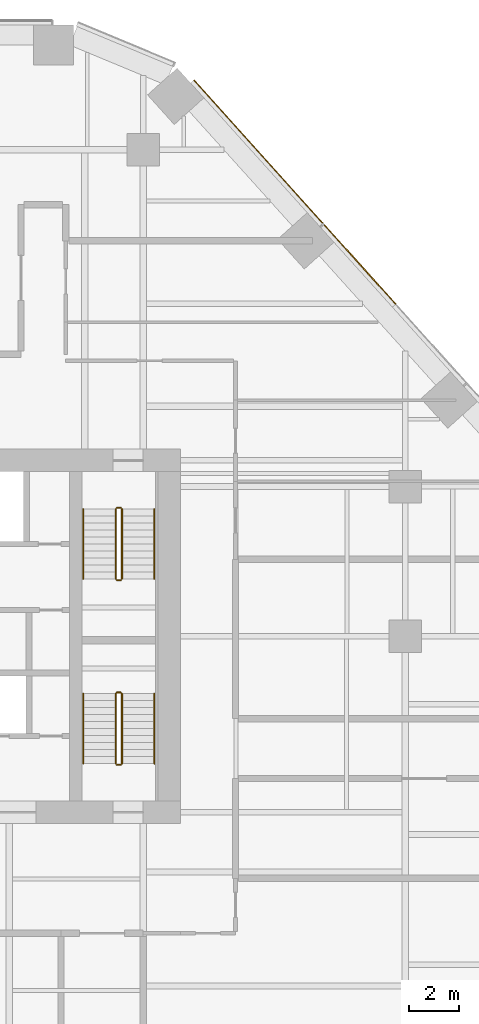
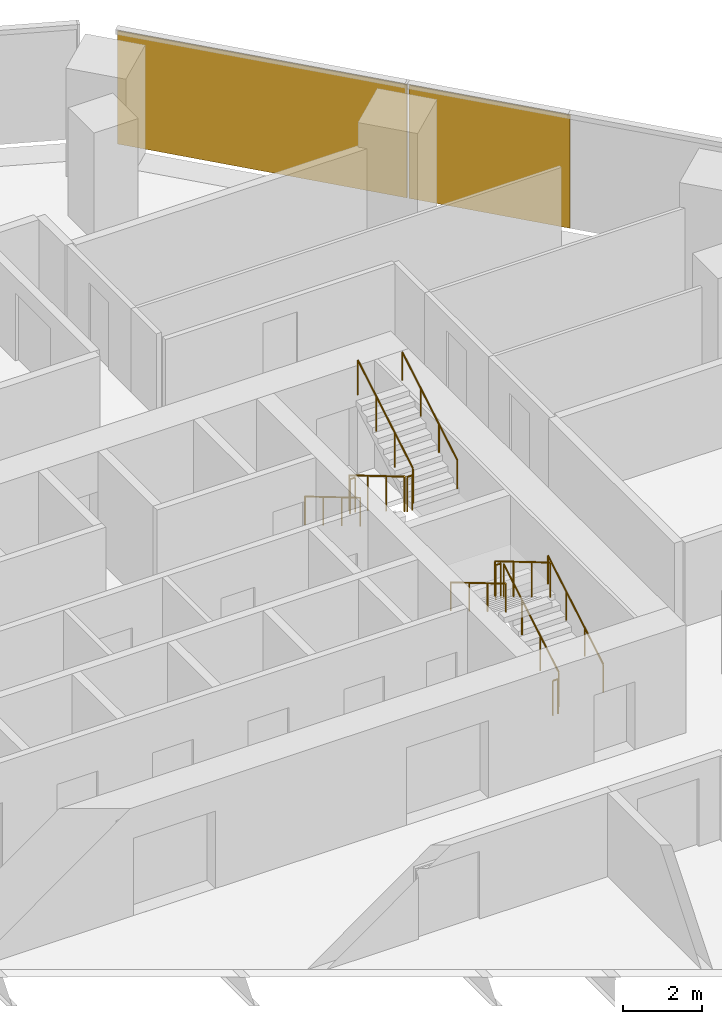
# One storey, part 29 of 31: 12 railings, 2 coverings, 1 element without a shape of its own.
"""IFC4 building model written with IfcOpenShell, lengths in metres."""

from ifc_helpers import new_model, si_unit, direction, frame, origin, origin_2d, place, context, subcontext, project, spatial, rectangle, circle, extrude, material, layer, layer_set, type_object, element, aggregate, save


model = new_model("IFC4")

# Units and contexts
model_context = context("Model", 3, precision=1e-05, world=origin(), true_north=direction((0.0, 1.0)))
body_context = subcontext(model_context, "Body", "Model", "MODEL_VIEW")
ifc_project = project(units=[si_unit("LENGTHUNIT", "METRE"), si_unit("AREAUNIT", "SQUARE_METRE"), si_unit("VOLUMEUNIT", "CUBIC_METRE"), si_unit("PLANEANGLEUNIT", "RADIAN"), si_unit("MASSUNIT", "GRAM", prefix="KILO")], contexts=[model_context])

# Site, building, storey
site_placement = place(None, origin())
site = spatial("IfcSite", under=ifc_project, at=site_placement, CompositionType="ELEMENT")
building_placement = place(site_placement, origin())
building = spatial("IfcBuilding", under=site, at=building_placement, Name="Isthmus Gate Tower", CompositionType="ELEMENT")
storey_placement = place(building_placement, frame((0.0, 0.0, 113.5)))
storey = spatial("IfcBuildingStorey", under=building, at=storey_placement, Name="L27", CompositionType="ELEMENT", Elevation=113.5)

# Curtain wall, coverings
ifc_material_1 = material(Name="Aluminium, pale champagne anodised", Category="aluminium")
ifc_layer_1 = layer(ifc_material_1, 0.199951171875)
ifc_layer_set_1 = layer_set([ifc_layer_1], Name="CW-1 UNITISED CURTAIN WALL 200 DEEP")
curtain_wall_type = type_object("IfcCurtainWallType", Name="CW-1 UNITISED CURTAIN WALL 200 DEEP", PredefinedType="NOTDEFINED", material=ifc_layer_set_1)
curtain_wall_placement = place(storey_placement, origin())
curtain_wall = element("IfcCurtainWall", 1, at=curtain_wall_placement, inside=storey, type_object=curtain_wall_type, Name="CW-1 NE L27", PredefinedType="NOTDEFINED")
ifc_material_2 = material(Name="Aluminium composite panel, pale champagne anodised", Category="aluminium")
ifc_layer_2 = layer(ifc_material_2, 0.0400390625)
ifc_layer_set_2 = layer_set([ifc_layer_2], Name="CW-1 PALE METAL PANEL 40")
covering_type = type_object("IfcCoveringType", Name="CW-1 PALE METAL PANEL 40", PredefinedType="CLADDING", material=ifc_layer_set_2)
covering_1_placement = place(storey_placement, frame((22.18310546875, 22.410400390625, 0.0), z_axis=(0.0, 0.0, 1.0), x_axis=(-0.669130606359, 0.743144825477, 0.0)))
covering_1 = element("IfcCovering", 2, at=covering_1_placement, type_object=covering_type, Name="CW-1 pale metal panel", PredefinedType="CLADDING", context=body_context, shape_type="SweptSolid", body=[
    extrude(rectangle(XDim=4.294677734375, YDim=0.0400390625, at=origin_2d()), origin(), (0.0, 0.0, 1.0), 3.5),
])
covering_2_placement = place(storey_placement, frame((18.1201171875, 26.9228515625, 0.0), z_axis=(0.0, 0.0, 1.0), x_axis=(-0.669130606359, 0.743144825477, 0.0)))
covering_2 = element("IfcCovering", 3, at=covering_2_placement, type_object=covering_type, Name="CW-1 pale metal panel", PredefinedType="CLADDING", context=body_context, shape_type="SweptSolid", body=[
    extrude(rectangle(XDim=7.729248046875, YDim=0.0400390625, at=origin_2d()), origin(), (0.0, 0.0, 1.0), 3.5),
])
aggregate(curtain_wall, [covering_1, covering_2])

# Railings
ifc_material_3 = material(Name="Stainless steel balustrade", Category="steel")
railing_type_1 = type_object("IfcRailingType", Name="STAIR GUARD 1100", PredefinedType="GUARDRAIL", material=ifc_material_3)
railing_1_placement = place(storey_placement, frame((12.39990234375, 12.60009765625, 0.166015625)))
element("IfcRailing", 4, at=railing_1_placement, inside=storey, type_object=railing_type_1, Name="L27 ST2 stair guard 1", PredefinedType="GUARDRAIL", context=body_context, shape_type="SweptSolid", body=[
    extrude(circle(Radius=0.02392578125, at=origin_2d()), frame((0.0, 0.0, 1.076171875), z_axis=(0.0, -0.860339051648, 0.50972219513), x_axis=(1.0, 0.0, 0.0)), (0.0, 0.0, 1.0), 3.254638671875),
    extrude(circle(Radius=0.02099609375, at=origin_2d()), origin(), (0.0, 0.0, 1.0), 1.052001953125),
    extrude(circle(Radius=0.02099609375, at=origin_2d()), frame((0.0, -0.933349609375, 0.552978515625)), (0.0, 0.0, 1.0), 1.052001953125),
    extrude(circle(Radius=0.02099609375, at=origin_2d()), frame((0.0, -1.86669921875, 1.10595703125)), (0.0, 0.0, 1.0), 1.052001953125),
    extrude(circle(Radius=0.02099609375, at=origin_2d()), frame((0.0, -2.800048828125, 1.658935546875)), (0.0, 0.0, 1.0), 1.052001953125),
])
railing_2_placement = place(storey_placement, frame((12.449951171875, 9.75, 1.824951171875)))
element("IfcRailing", 5, at=railing_2_placement, inside=storey, type_object=railing_type_1, Name="L27 ST2 stair guard 2", PredefinedType="GUARDRAIL", context=body_context, shape_type="SweptSolid", body=[
    extrude(circle(Radius=0.02392578125, at=origin_2d()), frame((0.0, 0.0, 1.076171875), z_axis=(1.0, 0.0, 0.0), x_axis=(0.0, 1.0, 0.0)), (0.0, 0.0, 1.0), 0.150146484375),
    extrude(circle(Radius=0.02099609375, at=origin_2d()), origin(), (0.0, 0.0, 1.0), 1.052001953125),
    extrude(circle(Radius=0.02099609375, at=origin_2d()), frame((0.150146484375, 0.0, 0.0)), (0.0, 0.0, 1.0), 1.052001953125),
])
railing_3_placement = place(storey_placement, frame((12.64990234375, 9.800048828125, 1.990966796875)))
element("IfcRailing", 6, at=railing_3_placement, inside=storey, type_object=railing_type_1, Name="L27 ST2 stair guard 3", PredefinedType="GUARDRAIL", context=body_context, shape_type="SweptSolid", body=[
    extrude(circle(Radius=0.02392578125, at=origin_2d()), frame((0.0, 0.0, 1.076171875), z_axis=(0.0, 0.860339051648, 0.50972219513), x_axis=(-1.0, 0.0, 0.0)), (0.0, 0.0, 1.0), 3.254638671875),
    extrude(circle(Radius=0.02099609375, at=origin_2d()), origin(), (0.0, 0.0, 1.0), 1.052001953125),
    extrude(circle(Radius=0.02099609375, at=origin_2d()), frame((0.0, 0.933349609375, 0.552978515625)), (0.0, 0.0, 1.0), 1.052001953125),
    extrude(circle(Radius=0.02099609375, at=origin_2d()), frame((0.0, 1.86669921875, 1.10595703125)), (0.0, 0.0, 1.0), 1.052001953125),
    extrude(circle(Radius=0.02099609375, at=origin_2d()), frame((0.0, 2.800048828125, 1.658935546875)), (0.0, 0.0, 1.0), 1.052001953125),
])
railing_4_placement = place(storey_placement, frame((12.449951171875, 12.64990234375, 0.0)))
element("IfcRailing", 7, at=railing_4_placement, inside=storey, type_object=railing_type_1, Name="L27 ST2 stair guard 4", PredefinedType="GUARDRAIL", context=body_context, shape_type="SweptSolid", body=[
    extrude(circle(Radius=0.02392578125, at=origin_2d()), frame((0.0, 0.0, 1.076171875), z_axis=(1.0, 0.0, 0.0), x_axis=(0.0, 1.0, 0.0)), (0.0, 0.0, 1.0), 0.150146484375),
    extrude(circle(Radius=0.02099609375, at=origin_2d()), origin(), (0.0, 0.0, 1.0), 1.052001953125),
    extrude(circle(Radius=0.02099609375, at=origin_2d()), frame((0.150146484375, 0.0, 0.0)), (0.0, 0.0, 1.0), 1.052001953125),
])
railing_5_placement = place(storey_placement, frame((12.64990234375, 2.39990234375, 0.166015625)))
element("IfcRailing", 8, at=railing_5_placement, inside=storey, type_object=railing_type_1, Name="L27 ST8 stair guard 1", PredefinedType="GUARDRAIL", context=body_context, shape_type="SweptSolid", body=[
    extrude(circle(Radius=0.02392578125, at=origin_2d()), frame((0.0, 0.0, 1.076171875), z_axis=(0.0, 0.860339051648, 0.50972219513), x_axis=(-1.0, 0.0, 0.0)), (0.0, 0.0, 1.0), 3.254638671875),
    extrude(circle(Radius=0.02099609375, at=origin_2d()), origin(), (0.0, 0.0, 1.0), 1.052001953125),
    extrude(circle(Radius=0.02099609375, at=origin_2d()), frame((0.0, 0.933349609375, 0.552978515625)), (0.0, 0.0, 1.0), 1.052001953125),
    extrude(circle(Radius=0.02099609375, at=origin_2d()), frame((0.0, 1.86669921875, 1.10595703125)), (0.0, 0.0, 1.0), 1.052001953125),
    extrude(circle(Radius=0.02099609375, at=origin_2d()), frame((0.0, 2.800048828125, 1.658935546875)), (0.0, 0.0, 1.0), 1.052001953125),
])
railing_6_placement = place(storey_placement, frame((12.60009765625, 5.25, 1.824951171875)))
element("IfcRailing", 9, at=railing_6_placement, inside=storey, type_object=railing_type_1, Name="L27 ST8 stair guard 2", PredefinedType="GUARDRAIL", context=body_context, shape_type="SweptSolid", body=[
    extrude(circle(Radius=0.02392578125, at=origin_2d()), frame((0.0, 0.0, 1.076171875), z_axis=(-1.0, 0.0, 0.0), x_axis=(0.0, -1.0, 0.0)), (0.0, 0.0, 1.0), 0.150146484375),
    extrude(circle(Radius=0.02099609375, at=origin_2d()), origin(), (0.0, 0.0, 1.0), 1.052001953125),
    extrude(circle(Radius=0.02099609375, at=origin_2d()), frame((-0.150146484375, 0.0, 0.0)), (0.0, 0.0, 1.0), 1.052001953125),
])
railing_7_placement = place(storey_placement, frame((12.39990234375, 5.199951171875, 1.990966796875)))
element("IfcRailing", 10, at=railing_7_placement, inside=storey, type_object=railing_type_1, Name="L27 ST8 stair guard 3", PredefinedType="GUARDRAIL", context=body_context, shape_type="SweptSolid", body=[
    extrude(circle(Radius=0.02392578125, at=origin_2d()), frame((0.0, 0.0, 1.076171875), z_axis=(0.0, -0.860339051648, 0.50972219513), x_axis=(1.0, 0.0, 0.0)), (0.0, 0.0, 1.0), 3.254638671875),
    extrude(circle(Radius=0.02099609375, at=origin_2d()), origin(), (0.0, 0.0, 1.0), 1.052001953125),
    extrude(circle(Radius=0.02099609375, at=origin_2d()), frame((0.0, -0.933349609375, 0.552978515625)), (0.0, 0.0, 1.0), 1.052001953125),
    extrude(circle(Radius=0.02099609375, at=origin_2d()), frame((0.0, -1.86669921875, 1.10595703125)), (0.0, 0.0, 1.0), 1.052001953125),
    extrude(circle(Radius=0.02099609375, at=origin_2d()), frame((0.0, -2.800048828125, 1.658935546875)), (0.0, 0.0, 1.0), 1.052001953125),
])
railing_8_placement = place(storey_placement, frame((12.60009765625, 2.35009765625, 0.0)))
element("IfcRailing", 11, at=railing_8_placement, inside=storey, type_object=railing_type_1, Name="L27 ST8 stair guard 4", PredefinedType="GUARDRAIL", context=body_context, shape_type="SweptSolid", body=[
    extrude(circle(Radius=0.02392578125, at=origin_2d()), frame((0.0, 0.0, 1.076171875), z_axis=(-1.0, 0.0, 0.0), x_axis=(0.0, -1.0, 0.0)), (0.0, 0.0, 1.0), 0.150146484375),
    extrude(circle(Radius=0.02099609375, at=origin_2d()), origin(), (0.0, 0.0, 1.0), 1.052001953125),
    extrude(circle(Radius=0.02099609375, at=origin_2d()), frame((-0.150146484375, 0.0, 0.0)), (0.0, 0.0, 1.0), 1.052001953125),
])
ifc_material_4 = material(Name="Stainless steel handrail", Category="steel")
railing_type_2 = type_object("IfcRailingType", Name="STAIR HANDRAIL 900", PredefinedType="HANDRAIL", material=ifc_material_4)
railing_9_placement = place(storey_placement, frame((11.10009765625, 12.60009765625, 0.166015625)))
element("IfcRailing", 12, at=railing_9_placement, inside=storey, type_object=railing_type_2, Name="L27 ST2 stair handrail 1", PredefinedType="HANDRAIL", context=body_context, shape_type="SweptSolid", body=[
    extrude(circle(Radius=0.02392578125, at=origin_2d()), frame((0.0, 0.0, 0.8759765625), z_axis=(0.0, -0.860339051648, 0.50972219513), x_axis=(1.0, 0.0, 0.0)), (0.0, 0.0, 1.0), 3.254638671875),
    extrude(circle(Radius=0.02099609375, at=origin_2d()), origin(), (0.0, 0.0, 1.0), 0.851806640625),
    extrude(circle(Radius=0.02099609375, at=origin_2d()), frame((0.0, -0.933349609375, 0.552978515625)), (0.0, 0.0, 1.0), 0.851806640625),
    extrude(circle(Radius=0.02099609375, at=origin_2d()), frame((0.0, -1.86669921875, 1.10595703125)), (0.0, 0.0, 1.0), 0.851806640625),
    extrude(circle(Radius=0.02099609375, at=origin_2d()), frame((0.0, -2.800048828125, 1.658935546875)), (0.0, 0.0, 1.0), 0.851806640625),
])
for number, where, name in (
    (13, (13.949951171875, 9.800048828125, 1.990966796875), "L27 ST2 stair handrail 2"),
    (14, (13.949951171875, 2.39990234375, 0.166015625), "L27 ST8 stair handrail 1"),
):
    element("IfcRailing", number, at=place(storey_placement, frame(where)), inside=storey, type_object=railing_type_2, Name=name, PredefinedType="HANDRAIL", context=body_context, shape_type="SweptSolid", body=[
        extrude(circle(Radius=0.02392578125, at=origin_2d()), frame((0.0, 0.0, 0.8759765625), z_axis=(0.0, 0.860339051648, 0.50972219513), x_axis=(-1.0, 0.0, 0.0)), (0.0, 0.0, 1.0), 3.254638671875),
        extrude(circle(Radius=0.02099609375, at=origin_2d()), origin(), (0.0, 0.0, 1.0), 0.851806640625),
        extrude(circle(Radius=0.02099609375, at=origin_2d()), frame((0.0, 0.933349609375, 0.552978515625)), (0.0, 0.0, 1.0), 0.851806640625),
        extrude(circle(Radius=0.02099609375, at=origin_2d()), frame((0.0, 1.86669921875, 1.10595703125)), (0.0, 0.0, 1.0), 0.851806640625),
        extrude(circle(Radius=0.02099609375, at=origin_2d()), frame((0.0, 2.800048828125, 1.658935546875)), (0.0, 0.0, 1.0), 0.851806640625),
    ])
railing_10_placement = place(storey_placement, frame((11.10009765625, 5.199951171875, 1.990966796875)))
element("IfcRailing", 15, at=railing_10_placement, inside=storey, type_object=railing_type_2, Name="L27 ST8 stair handrail 2", PredefinedType="HANDRAIL", context=body_context, shape_type="SweptSolid", body=[
    extrude(circle(Radius=0.02392578125, at=origin_2d()), frame((0.0, 0.0, 0.8759765625), z_axis=(0.0, -0.860339051648, 0.50972219513), x_axis=(1.0, 0.0, 0.0)), (0.0, 0.0, 1.0), 3.254638671875),
    extrude(circle(Radius=0.02099609375, at=origin_2d()), origin(), (0.0, 0.0, 1.0), 0.851806640625),
    extrude(circle(Radius=0.02099609375, at=origin_2d()), frame((0.0, -0.933349609375, 0.552978515625)), (0.0, 0.0, 1.0), 0.851806640625),
    extrude(circle(Radius=0.02099609375, at=origin_2d()), frame((0.0, -1.86669921875, 1.10595703125)), (0.0, 0.0, 1.0), 0.851806640625),
    extrude(circle(Radius=0.02099609375, at=origin_2d()), frame((0.0, -2.800048828125, 1.658935546875)), (0.0, 0.0, 1.0), 0.851806640625),
])

save(model, "model.ifc")
